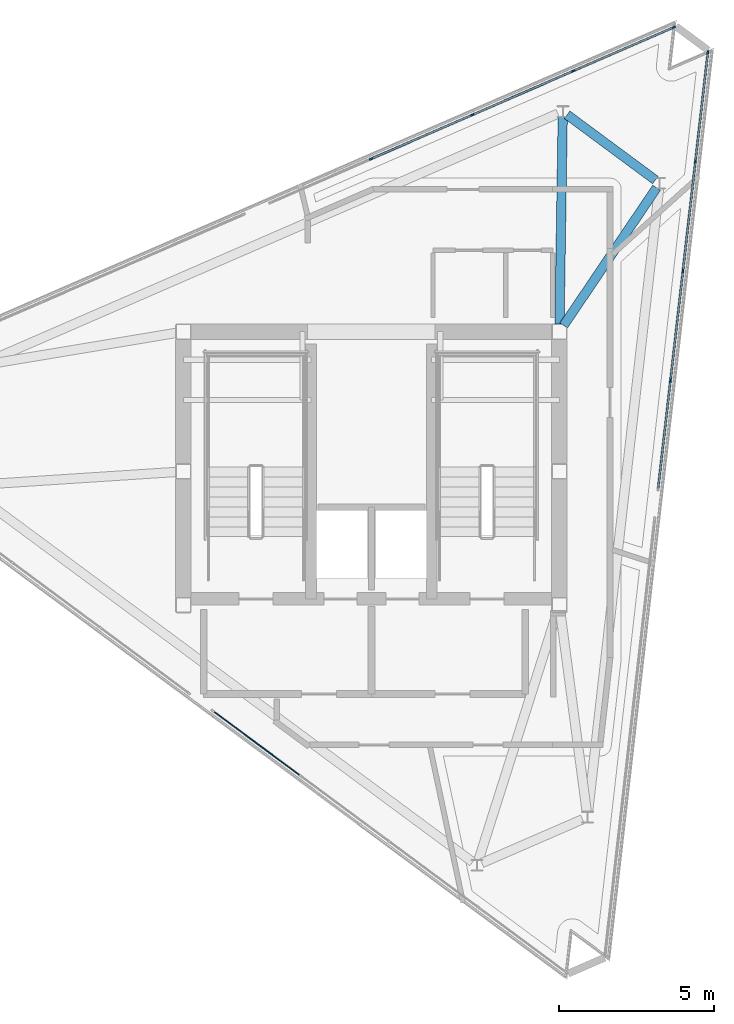
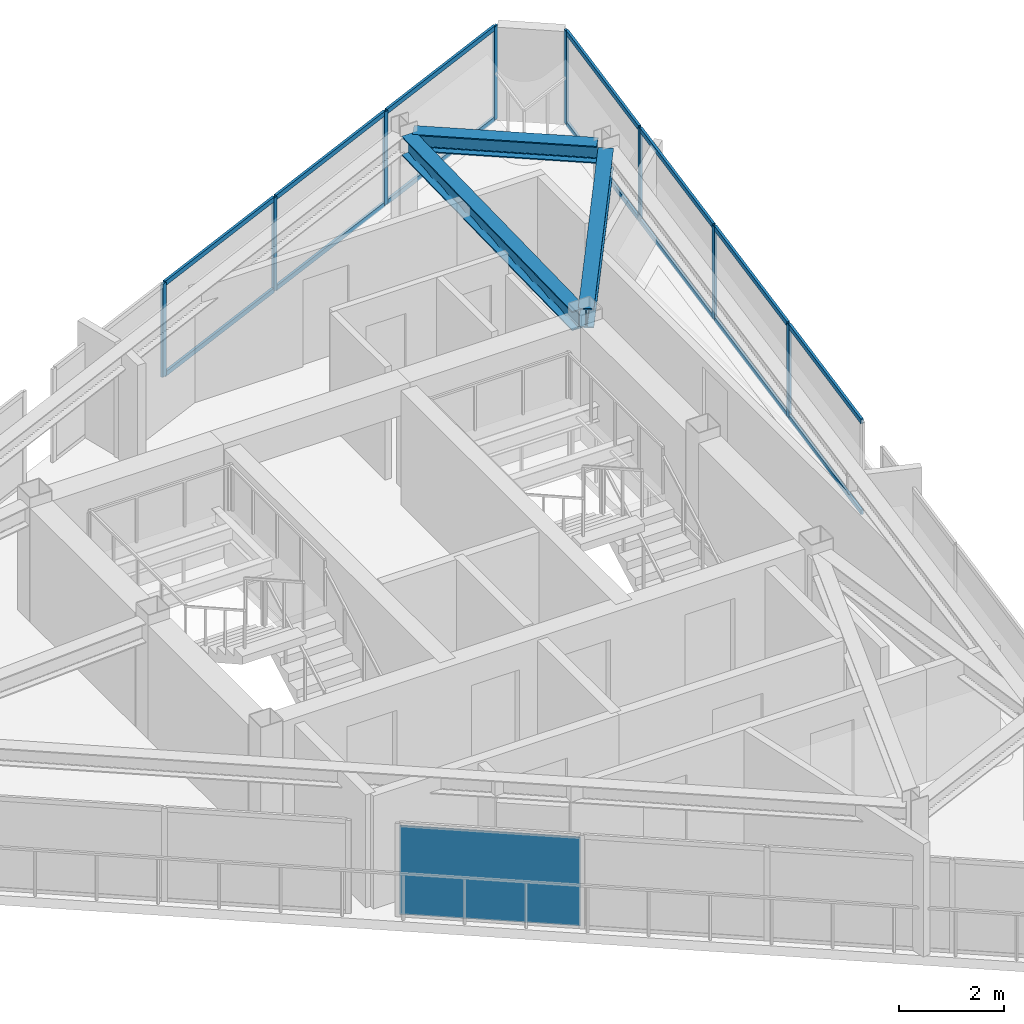
# One storey, part 5 of 9: 22 members, 3 beams, 1 plate, 3 elements without a shape of their own.
"""IFC4 building model written with IfcOpenShell, lengths in metres."""

from ifc_helpers import new_model, si_unit, direction, frame, origin, origin_2d, place, context, subcontext, project, spatial, rectangle, i_section, extrude, material, layer, layer_set, material_profile, profile_set, type_object, element, aggregate, save


model = new_model("IFC4")

# Units and contexts
model_context = context("Model", 3, precision=1e-05, world=origin(), true_north=direction((0.0, 1.0)))
body_context = subcontext(model_context, "Body", "Model", "MODEL_VIEW")
ifc_project = project(units=[si_unit("LENGTHUNIT", "METRE"), si_unit("AREAUNIT", "SQUARE_METRE"), si_unit("VOLUMEUNIT", "CUBIC_METRE"), si_unit("PLANEANGLEUNIT", "RADIAN"), si_unit("MASSUNIT", "GRAM", prefix="KILO")], contexts=[model_context])

# Site, building, storey
site_placement = place(None, origin())
site = spatial("IfcSite", under=ifc_project, at=site_placement, CompositionType="ELEMENT")
building_placement = place(site_placement, origin())
building = spatial("IfcBuilding", under=site, at=building_placement, Name="Rocaltana Carrier Exchange", CompositionType="ELEMENT")
storey_placement = place(building_placement, frame((0.0, 0.0, 249.1201171875)))
storey = spatial("IfcBuildingStorey", under=building, at=storey_placement, Name="L79", CompositionType="ELEMENT", Elevation=249.1201171875)

# Curtain wall, members
ifc_material_1 = material(Name="Aluminium 6063-T6", Category="aluminium")
ifc_layer_1 = layer(ifc_material_1, 0.110107421875)
ifc_layer_set_1 = layer_set([ifc_layer_1], Name="Aluminium 6063-T6")
curtain_wall_type = type_object("IfcCurtainWallType", Name="Crown Lantern Faceted Curtain Wall CW-06", PredefinedType="NOTDEFINED", material=ifc_layer_set_1)
curtain_wall_1_placement = place(storey_placement, origin())
curtain_wall_1 = element("IfcCurtainWall", 1, at=curtain_wall_1_placement, inside=storey, type_object=curtain_wall_type, Name="L79 CW-06 Run CW06-L79-F1S2", PredefinedType="NOTDEFINED")
ifc_material_2 = material(Name="Aluminium 6063-T6", Category="aluminium")
ifc_material_profile_1 = material_profile(ifc_material_2, rectangle(XDim=0.054931640625, YDim=0.110107421875, at=origin_2d()), Name="AL-55X110")
ifc_profile_set_1 = profile_set([ifc_material_profile_1], Name="Aluminium 6063-T6")
member_type_1 = type_object("IfcMemberType", Name="CW-06 Mullion AL-55X110", PredefinedType="MULLION", material=ifc_profile_set_1)
member_1_placement = place(storey_placement, frame((9.624267578125, 2.929443359375, 0.0), z_axis=(0.0, 0.0, 1.0), x_axis=(-0.993571723533, 0.113204373575, 0.0)))
member_1 = element("IfcMember", 2, at=member_1_placement, type_object=member_type_1, Name="CW-06 mullion 2", PredefinedType="MULLION", context=body_context, shape_type="SweptSolid", body=[
    extrude(rectangle(XDim=0.054931640625, YDim=0.110107421875, at=origin_2d()), origin(), (0.0, 0.0, 1.0), 2.16796875),
])
member_2_placement = place(storey_placement, frame((10.026123046875, 6.45654296875, 0.0), z_axis=(0.0, 0.0, 1.0), x_axis=(-0.993571723533, 0.113204373575, 0.0)))
member_2 = element("IfcMember", 3, at=member_2_placement, type_object=member_type_1, Name="CW-06 mullion 3", PredefinedType="MULLION", context=body_context, shape_type="SweptSolid", body=[
    extrude(rectangle(XDim=0.054931640625, YDim=0.110107421875, at=origin_2d()), origin(), (0.0, 0.0, 1.0), 2.16796875),
])
member_3_placement = place(storey_placement, frame((10.427978515625, 9.983642578125, 0.0), z_axis=(0.0, 0.0, 1.0), x_axis=(-0.993571723533, 0.113204373575, 0.0)))
member_3 = element("IfcMember", 4, at=member_3_placement, type_object=member_type_1, Name="CW-06 mullion 4", PredefinedType="MULLION", context=body_context, shape_type="SweptSolid", body=[
    extrude(rectangle(XDim=0.054931640625, YDim=0.110107421875, at=origin_2d()), origin(), (0.0, 0.0, 1.0), 2.16796875),
])
member_4_placement = place(storey_placement, frame((10.826904296875, 13.483642578125, 0.0), z_axis=(0.0, 0.0, 1.0), x_axis=(-0.993571723533, 0.113204373575, 0.0)))
member_4 = element("IfcMember", 5, at=member_4_placement, type_object=member_type_1, Name="CW-06 mullion 5", PredefinedType="MULLION", context=body_context, shape_type="SweptSolid", body=[
    extrude(rectangle(XDim=0.054931640625, YDim=0.110107421875, at=origin_2d()), origin(), (0.0, 0.0, 1.0), 2.16796875),
])

curtain_wall_2_placement = place(storey_placement, origin())
curtain_wall_2 = element("IfcCurtainWall", 6, at=curtain_wall_2_placement, inside=storey, type_object=curtain_wall_type, Name="L79 CW-06 Run CW06-L79-F2S1", PredefinedType="NOTDEFINED")
member_5_placement = place(storey_placement, frame((9.72900390625, 14.2958984375, 0.0), z_axis=(0.0, 0.0, 1.0), x_axis=(0.398751604325, -0.917058971958, 0.0)))
member_5 = element("IfcMember", 7, at=member_5_placement, type_object=member_type_1, Name="CW-06 mullion 1", PredefinedType="MULLION", context=body_context, shape_type="SweptSolid", body=[
    extrude(rectangle(XDim=0.054931640625, YDim=0.110107421875, at=origin_2d()), origin(), (0.0, 0.0, 1.0), 2.16796875),
])
member_6_placement = place(storey_placement, frame((6.49853515625, 12.891357421875, 0.0), z_axis=(0.0, 0.0, 1.0), x_axis=(0.398751604325, -0.917058971958, 0.0)))
member_6 = element("IfcMember", 8, at=member_6_placement, type_object=member_type_1, Name="CW-06 mullion 2", PredefinedType="MULLION", context=body_context, shape_type="SweptSolid", body=[
    extrude(rectangle(XDim=0.054931640625, YDim=0.110107421875, at=origin_2d()), origin(), (0.0, 0.0, 1.0), 2.16796875),
])
member_7_placement = place(storey_placement, frame((3.2431640625, 11.475830078125, 0.0), z_axis=(0.0, 0.0, 1.0), x_axis=(0.398751604325, -0.917058971958, 0.0)))
member_7 = element("IfcMember", 9, at=member_7_placement, type_object=member_type_1, Name="CW-06 mullion 3", PredefinedType="MULLION", context=body_context, shape_type="SweptSolid", body=[
    extrude(rectangle(XDim=0.054931640625, YDim=0.110107421875, at=origin_2d()), origin(), (0.0, 0.0, 1.0), 2.16796875),
])
member_8_placement = place(storey_placement, frame((-0.012451171875, 10.06005859375, 0.0), z_axis=(0.0, 0.0, 1.0), x_axis=(0.398751604325, -0.917058971958, 0.0)))
member_8 = element("IfcMember", 10, at=member_8_placement, type_object=member_type_1, Name="CW-06 mullion 4", PredefinedType="MULLION", context=body_context, shape_type="SweptSolid", body=[
    extrude(rectangle(XDim=0.054931640625, YDim=0.110107421875, at=origin_2d()), origin(), (0.0, 0.0, 1.0), 2.16796875),
])

# Member
ifc_material_3 = material(Name="Aluminium 6063-T6", Category="aluminium")
ifc_material_profile_2 = material_profile(ifc_material_3, rectangle(XDim=0.054931640625, YDim=0.110107421875, at=origin_2d()), Name="AL-55X110")
ifc_profile_set_2 = profile_set([ifc_material_profile_2], Name="Aluminium 6063-T6")
member_type_2 = type_object("IfcMemberType", Name="CW-06 Transom AL-55X110", PredefinedType="USERDEFINED", material=ifc_profile_set_2)
member_9_placement = place(storey_placement, frame((9.228515625, -0.543212890625, 0.02734375), z_axis=(0.11321299265, 0.993570741465, 0.0), x_axis=(-0.993570741465, 0.11321299265, 0.0)))
member_9 = element("IfcMember", 11, at=member_9_placement, type_object=member_type_2, Name="CW-06 transom 1.1", ObjectType="TRANSOM", PredefinedType="USERDEFINED", context=body_context, shape_type="SweptSolid", body=[
    extrude(rectangle(XDim=0.054931640625, YDim=0.110107421875, at=origin_2d()), origin(), (0.0, 0.0, 1.0), 3.467529296875),
])

member_10_placement = place(storey_placement, frame((9.228515625, -0.543212890625, 2.140380859375), z_axis=(0.11321299265, 0.993570741465, 0.0), x_axis=(-0.993570741465, 0.11321299265, 0.0)))
member_10 = element("IfcMember", 12, at=member_10_placement, type_object=member_type_2, Name="CW-06 transom 1.2", ObjectType="TRANSOM", PredefinedType="USERDEFINED", context=body_context, shape_type="SweptSolid", body=[
    extrude(rectangle(XDim=0.054931640625, YDim=0.110107421875, at=origin_2d()), origin(), (0.0, 0.0, 1.0), 3.467529296875),
])

member_11_placement = place(storey_placement, frame((9.62744140625, 2.956787109375, 0.02734375), z_axis=(0.113168308226, 0.99357583204, 0.0), x_axis=(-0.99357583204, 0.113168308226, 0.0)))
member_11 = element("IfcMember", 13, at=member_11_placement, type_object=member_type_2, Name="CW-06 transom 2.1", ObjectType="TRANSOM", PredefinedType="USERDEFINED", context=body_context, shape_type="SweptSolid", body=[
    extrude(rectangle(XDim=0.054931640625, YDim=0.110107421875, at=origin_2d()), origin(), (0.0, 0.0, 1.0), 3.494873046875),
])

member_12_placement = place(storey_placement, frame((9.62744140625, 2.956787109375, 2.140380859375), z_axis=(0.113168308226, 0.99357583204, 0.0), x_axis=(-0.99357583204, 0.113168308226, 0.0)))
member_12 = element("IfcMember", 14, at=member_12_placement, type_object=member_type_2, Name="CW-06 transom 2.2", ObjectType="TRANSOM", PredefinedType="USERDEFINED", context=body_context, shape_type="SweptSolid", body=[
    extrude(rectangle(XDim=0.054931640625, YDim=0.110107421875, at=origin_2d()), origin(), (0.0, 0.0, 1.0), 3.494873046875),
])

member_13_placement = place(storey_placement, frame((10.029296875, 6.48388671875, 0.02734375), z_axis=(0.113168308226, 0.99357583204, 0.0), x_axis=(-0.99357583204, 0.113168308226, 0.0)))
member_13 = element("IfcMember", 15, at=member_13_placement, type_object=member_type_2, Name="CW-06 transom 3.1", ObjectType="TRANSOM", PredefinedType="USERDEFINED", context=body_context, shape_type="SweptSolid", body=[
    extrude(rectangle(XDim=0.054931640625, YDim=0.110107421875, at=origin_2d()), origin(), (0.0, 0.0, 1.0), 3.494873046875),
])

member_14_placement = place(storey_placement, frame((10.029296875, 6.48388671875, 2.140380859375), z_axis=(0.113168308226, 0.99357583204, 0.0), x_axis=(-0.99357583204, 0.113168308226, 0.0)))
member_14 = element("IfcMember", 16, at=member_14_placement, type_object=member_type_2, Name="CW-06 transom 3.2", ObjectType="TRANSOM", PredefinedType="USERDEFINED", context=body_context, shape_type="SweptSolid", body=[
    extrude(rectangle(XDim=0.054931640625, YDim=0.110107421875, at=origin_2d()), origin(), (0.0, 0.0, 1.0), 3.494873046875),
])

member_15_placement = place(storey_placement, frame((10.43115234375, 10.010986328125, 0.02734375), z_axis=(0.11321299265, 0.993570741465, 0.0), x_axis=(-0.993570741465, 0.11321299265, 0.0)))
member_15 = element("IfcMember", 17, at=member_15_placement, type_object=member_type_2, Name="CW-06 transom 4.1", ObjectType="TRANSOM", PredefinedType="USERDEFINED", context=body_context, shape_type="SweptSolid", body=[
    extrude(rectangle(XDim=0.054931640625, YDim=0.110107421875, at=origin_2d()), origin(), (0.0, 0.0, 1.0), 3.467529296875),
])

member_16_placement = place(storey_placement, frame((10.43115234375, 10.010986328125, 2.140380859375), z_axis=(0.11321299265, 0.993570741465, 0.0), x_axis=(-0.993570741465, 0.11321299265, 0.0)))
member_16 = element("IfcMember", 18, at=member_16_placement, type_object=member_type_2, Name="CW-06 transom 4.2", ObjectType="TRANSOM", PredefinedType="USERDEFINED", context=body_context, shape_type="SweptSolid", body=[
    extrude(rectangle(XDim=0.054931640625, YDim=0.110107421875, at=origin_2d()), origin(), (0.0, 0.0, 1.0), 3.467529296875),
])

aggregate(curtain_wall_1, [member_1, member_2, member_3, member_4, member_9, member_10, member_11, member_12, member_13, member_14, member_15, member_16])

member_17_placement = place(storey_placement, frame((9.703857421875, 14.284912109375, 0.02734375), z_axis=(-0.917071175622, -0.398723536856, 0.0), x_axis=(0.398723536856, -0.917071175622, 0.0)))
member_17 = element("IfcMember", 19, at=member_17_placement, type_object=member_type_2, Name="CW-06 transom 1.1", ObjectType="TRANSOM", PredefinedType="USERDEFINED", context=body_context, shape_type="SweptSolid", body=[
    extrude(rectangle(XDim=0.054931640625, YDim=0.110107421875, at=origin_2d()), origin(), (0.0, 0.0, 1.0), 3.467529296875),
])

member_18_placement = place(storey_placement, frame((9.703857421875, 14.284912109375, 2.140380859375), z_axis=(-0.917071175622, -0.398723536856, 0.0), x_axis=(0.398723536856, -0.917071175622, 0.0)))
member_18 = element("IfcMember", 20, at=member_18_placement, type_object=member_type_2, Name="CW-06 transom 1.2", ObjectType="TRANSOM", PredefinedType="USERDEFINED", context=body_context, shape_type="SweptSolid", body=[
    extrude(rectangle(XDim=0.054931640625, YDim=0.110107421875, at=origin_2d()), origin(), (0.0, 0.0, 1.0), 3.467529296875),
])

member_19_placement = place(storey_placement, frame((6.473388671875, 12.88037109375, 0.02734375), z_axis=(-0.917065613863, -0.398736328757, 0.0), x_axis=(0.398736328757, -0.917065613863, 0.0)))
member_19 = element("IfcMember", 21, at=member_19_placement, type_object=member_type_2, Name="CW-06 transom 2.1", ObjectType="TRANSOM", PredefinedType="USERDEFINED", context=body_context, shape_type="SweptSolid", body=[
    extrude(rectangle(XDim=0.054931640625, YDim=0.110107421875, at=origin_2d()), origin(), (0.0, 0.0, 1.0), 3.494873046875),
])

member_20_placement = place(storey_placement, frame((6.473388671875, 12.88037109375, 2.140380859375), z_axis=(-0.917065613863, -0.398736328757, 0.0), x_axis=(0.398736328757, -0.917065613863, 0.0)))
member_20 = element("IfcMember", 22, at=member_20_placement, type_object=member_type_2, Name="CW-06 transom 2.2", ObjectType="TRANSOM", PredefinedType="USERDEFINED", context=body_context, shape_type="SweptSolid", body=[
    extrude(rectangle(XDim=0.054931640625, YDim=0.110107421875, at=origin_2d()), origin(), (0.0, 0.0, 1.0), 3.494873046875),
])

member_21_placement = place(storey_placement, frame((3.2177734375, 11.46484375, 0.02734375), z_axis=(-0.917040068742, -0.398795075598, 0.0), x_axis=(0.398795075598, -0.917040068742, 0.0)))
member_21 = element("IfcMember", 23, at=member_21_placement, type_object=member_type_2, Name="CW-06 transom 3.1", ObjectType="TRANSOM", PredefinedType="USERDEFINED", context=body_context, shape_type="SweptSolid", body=[
    extrude(rectangle(XDim=0.054931640625, YDim=0.110107421875, at=origin_2d()), origin(), (0.0, 0.0, 1.0), 3.4951171875),
])

member_22_placement = place(storey_placement, frame((3.2177734375, 11.46484375, 2.140380859375), z_axis=(-0.917040068742, -0.398795075598, 0.0), x_axis=(0.398795075598, -0.917040068742, 0.0)))
member_22 = element("IfcMember", 24, at=member_22_placement, type_object=member_type_2, Name="CW-06 transom 3.2", ObjectType="TRANSOM", PredefinedType="USERDEFINED", context=body_context, shape_type="SweptSolid", body=[
    extrude(rectangle(XDim=0.054931640625, YDim=0.110107421875, at=origin_2d()), origin(), (0.0, 0.0, 1.0), 3.4951171875),
])

aggregate(curtain_wall_2, [member_5, member_6, member_7, member_8, member_17, member_18, member_19, member_20, member_21, member_22])

# Beams
ifc_material_4 = material(Name="Steel S460", Category="steel")
ifc_material_profile_3 = material_profile(ifc_material_4, i_section(OverallWidth=0.300048828125, OverallDepth=0.449951171875, WebThickness=0.013916015625, FlangeThickness=0.02587890625, FilletRadius=0.027099609375, at=origin_2d()), Name="HEB450")
ifc_profile_set_3 = profile_set([ifc_material_profile_3], Name="Steel S460")
beam_type_1 = type_object("IfcBeamType", Name="Crown Frame Rafter HEB450", PredefinedType="BEAM", material=ifc_profile_set_3)
beam_1_placement = place(storey_placement, frame((6.185546875, 4.700439453125, 2.4228515625), z_axis=(0.55981845745, 0.828615287512, 0.0), x_axis=(-0.828615287512, 0.55981845745, 0.0)))
element("IfcBeam", 25, at=beam_1_placement, inside=storey, type_object=beam_type_1, Name="CRG-RAD-L79-02", PredefinedType="BEAM", context=body_context, shape_type="SweptSolid", body=[
    extrude(i_section(OverallWidth=0.300048828125, OverallDepth=0.449951171875, WebThickness=0.013916015625, FlangeThickness=0.02587890625, FilletRadius=0.027099609375, at=origin_2d()), origin(), (0.0, 0.0, 1.0), 5.349609375),
])
beam_2_placement = place(storey_placement, frame((6.0537109375, 4.741943359375, 2.4228515625), z_axis=(0.015446977979, 0.999880688318, 0.0), x_axis=(-0.999880688318, 0.015446977979, 0.0)))
element("IfcBeam", 26, at=beam_2_placement, inside=storey, type_object=beam_type_1, Name="CRG-RAD-L79-03", PredefinedType="BEAM", context=body_context, shape_type="SweptSolid", body=[
    extrude(i_section(OverallWidth=0.300048828125, OverallDepth=0.449951171875, WebThickness=0.013916015625, FlangeThickness=0.02587890625, FilletRadius=0.027099609375, at=origin_2d()), origin(), (0.0, 0.0, 1.0), 6.669677734375),
])
ifc_material_5 = material(Name="Steel S460", Category="steel")
ifc_material_profile_4 = material_profile(ifc_material_5, i_section(OverallWidth=0.300048828125, OverallDepth=0.39990234375, WebThickness=0.013427734375, FlangeThickness=0.02392578125, FilletRadius=0.027099609375, at=origin_2d()), Name="HEB400")
ifc_profile_set_4 = profile_set([ifc_material_profile_4], Name="Steel S460")
beam_type_2 = type_object("IfcBeamType", Name="Crown Ring Beam HEB400", PredefinedType="BEAM", material=ifc_profile_set_4)
beam_3_placement = place(storey_placement, frame((9.137939453125, 9.380859375, 2.447998046875), z_axis=(-0.803841238044, 0.594843898867, 0.0), x_axis=(-0.594843898867, -0.803841238044, 0.0)))
element("IfcBeam", 27, at=beam_3_placement, inside=storey, type_object=beam_type_2, Name="CRG-RING-L79-02", PredefinedType="BEAM", context=body_context, shape_type="SweptSolid", body=[
    extrude(i_section(OverallWidth=0.300048828125, OverallDepth=0.39990234375, WebThickness=0.013427734375, FlangeThickness=0.02392578125, FilletRadius=0.027099609375, at=origin_2d()), origin(), (0.0, 0.0, 1.0), 3.53125),
])

# Curtain wall, plate
curtain_wall_3_placement = place(storey_placement, origin())
curtain_wall_3 = element("IfcCurtainWall", 28, at=curtain_wall_3_placement, inside=storey, type_object=curtain_wall_type, Name="L79 CW-06 Run CW06-L79-F3S2", PredefinedType="NOTDEFINED")
ifc_material_6 = material(Name="Tempered Laminated Glass", Category="glass")
ifc_layer_2 = layer(ifc_material_6, 0.033935546875)
ifc_layer_set_2 = layer_set([ifc_layer_2], Name="Tempered Laminated Glass")
plate_type = type_object("IfcPlateType", Name="CW-06 Stone-Insulated Vision Panel", PredefinedType="CURTAIN_PANEL", material=ifc_layer_set_2)
plate_placement = place(storey_placement, frame((-3.691162109375, -8.751953125, 0.054931640625), z_axis=(0.0, 0.0, 1.0), x_axis=(0.803857119192, -0.594822437307, 0.0)))
plate = element("IfcPlate", 29, at=plate_placement, type_object=plate_type, Name="CW-06 panel 1.1", PredefinedType="CURTAIN_PANEL", context=body_context, shape_type="SweptSolid", body=[
    extrude(rectangle(XDim=3.467529296875, YDim=0.033935546875, at=origin_2d()), origin(), (0.0, 0.0, 1.0), 2.05810546875),
])
aggregate(curtain_wall_3, [plate])

save(model, "model.ifc")
